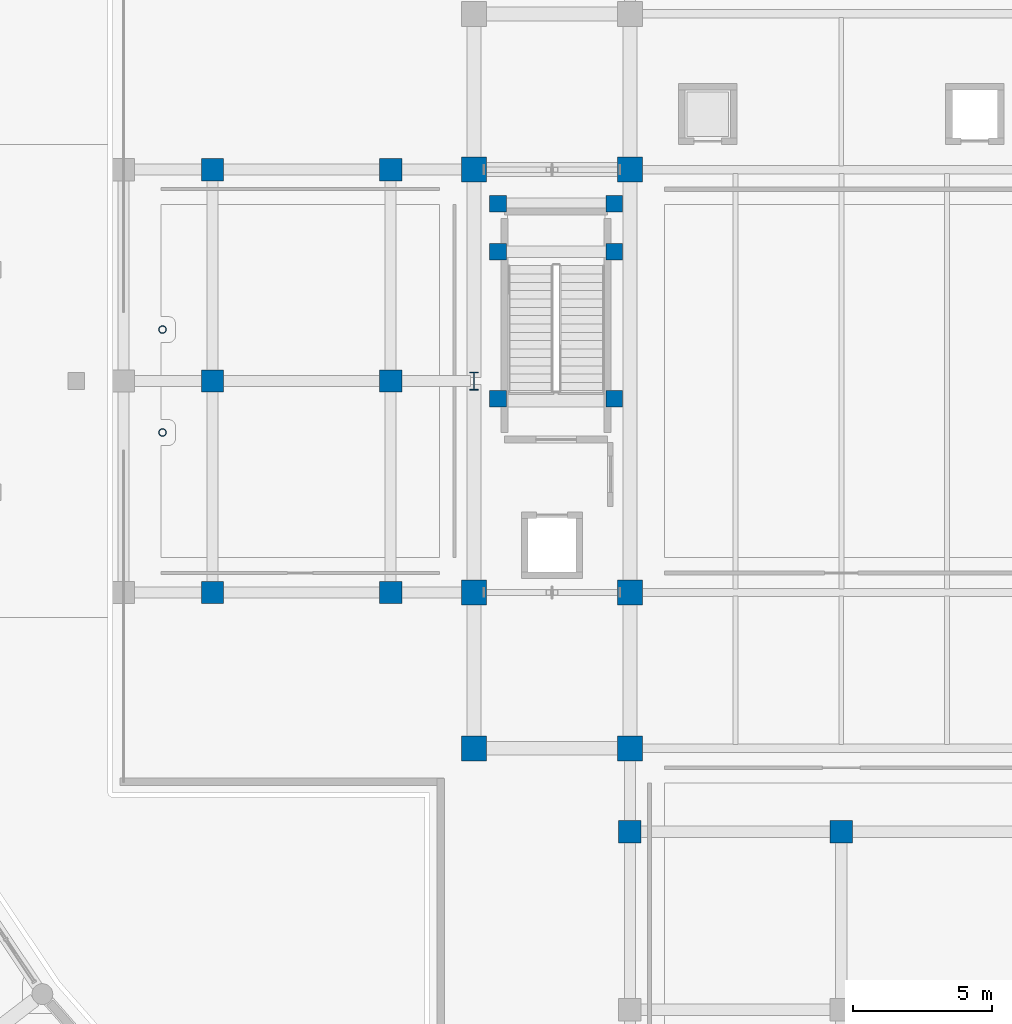
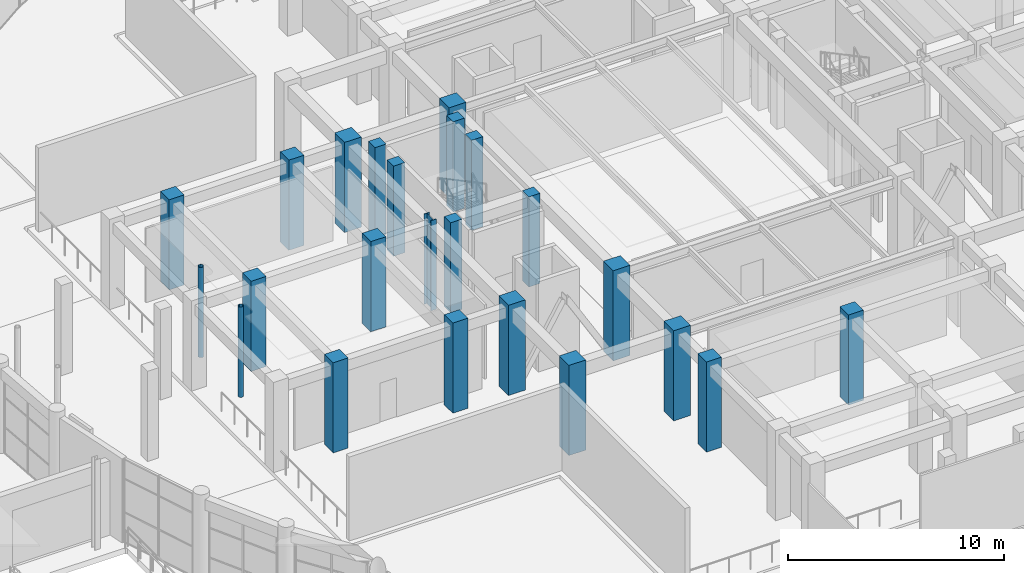
# One storey, part 9 of 99: 23 columns.
"""IFC4 building model written with IfcOpenShell, lengths in metres."""

from ifc_helpers import new_model, si_unit, direction, frame, origin, origin_2d, place, context, subcontext, project, spatial, rectangle, hollow_circle, i_section, extrude, material, material_profile, profile_set, type_object, element, save


model = new_model("IFC4")

# Units and contexts
model_context = context("Model", 3, precision=1e-05, world=origin(), true_north=direction((0.0, 1.0)))
body_context = subcontext(model_context, "Body", "Model", "MODEL_VIEW")
ifc_project = project(units=[si_unit("LENGTHUNIT", "METRE"), si_unit("AREAUNIT", "SQUARE_METRE"), si_unit("VOLUMEUNIT", "CUBIC_METRE"), si_unit("PLANEANGLEUNIT", "RADIAN"), si_unit("MASSUNIT", "GRAM", prefix="KILO")], contexts=[model_context])

# Site, building, storey
site_placement = place(None, origin())
site = spatial("IfcSite", under=ifc_project, at=site_placement, CompositionType="ELEMENT")
building_placement = place(site_placement, origin())
building = spatial("IfcBuilding", under=site, at=building_placement, Name="Saryqyr Civic Hall", CompositionType="ELEMENT")
storey_placement = place(building_placement, origin())
storey = spatial("IfcBuildingStorey", under=building, at=storey_placement, Name="L00", CompositionType="ELEMENT", Elevation=0.0)

# Columns
ifc_material_1 = material(Name="Steel S355", Category="steel")
ifc_material_profile_1 = material_profile(ifc_material_1, hollow_circle(Radius=0.136474609375, WallThickness=0.01611328125, at=origin_2d()), Name="CHS 273x16")
ifc_profile_set_1 = profile_set([ifc_material_profile_1], Name="Steel S355")
column_type_1 = type_object("IfcColumnType", Name="STR-COL-CHS273-S355", PredefinedType="COLUMN", material=ifc_profile_set_1)
for number, where, z_axis, x_axis, name in (
    (1, (32.60009765625, 82.14990234375, 0.0), (0.0, 0.0, 1.0), (1.0, 0.0, 0.0), "Column BRCOL-BR-CW-2-L00"),
    (2, (32.60009765625, 85.85009765625, 0.0), (0.0, 0.0, 1.0), (1.0, 0.0, 0.0), "Column BRCOL-BR-CW-3-L00"),
):
    element("IfcColumn", number, at=place(storey_placement, frame(where, z_axis=z_axis, x_axis=x_axis)), inside=storey, type_object=column_type_1, Name=name, PredefinedType="COLUMN", context=body_context, shape_type="SweptSolid", body=[
        extrude(hollow_circle(Radius=0.136474609375, WallThickness=0.01611328125, at=origin_2d()), origin(), (0.0, 0.0, 1.0), 5.10009765625),
    ])
ifc_material_profile_2 = material_profile(ifc_material_1, i_section(OverallWidth=0.300048828125, OverallDepth=0.64990234375, WebThickness=0.01611328125, FlangeThickness=0.031005859375, at=origin_2d()), Name="HEB 650")
ifc_profile_set_2 = profile_set([ifc_material_profile_2], Name="Steel S355")
column_type_2 = type_object("IfcColumnType", Name="STR-COL-HEB650-S355", PredefinedType="COLUMN", material=ifc_profile_set_2)
column_placement = place(storey_placement, frame((43.800048828125, 84.0, 0.0), z_axis=(0.0, 0.0, 1.0), x_axis=(1.0, 0.0, 0.0)))
element("IfcColumn", 3, at=column_placement, inside=storey, type_object=column_type_2, Name="Column V1-GCOL-W-L00", PredefinedType="COLUMN", context=body_context, shape_type="SweptSolid", body=[
    extrude(i_section(OverallWidth=0.300048828125, OverallDepth=0.64990234375, WebThickness=0.01611328125, FlangeThickness=0.031005859375, at=origin_2d()), origin(), (0.0, 0.0, 1.0), 5.10009765625),
])
ifc_material_2 = material(Name="Concrete C40/50", Category="concrete")
ifc_material_profile_3 = material_profile(ifc_material_2, rectangle(XDim=0.60009765625, YDim=0.60009765625, at=origin_2d()), Name="RC 600x600")
ifc_profile_set_3 = profile_set([ifc_material_profile_3], Name="Concrete C40/50")
column_type_3 = type_object("IfcColumnType", Name="STR-COL-RC600-C40", PredefinedType="COLUMN", material=ifc_profile_set_3)
for number, where, z_axis, x_axis, name in (
    (4, (48.840087890625, 83.364990234375, 0.0), (0.0, 0.0, 1.0), (1.0, 0.0, 0.0), "Column ST-1-SCOL-TRMA-L00"),
    (5, (44.659912109375, 83.364990234375, 0.0), (0.0, 0.0, 1.0), (1.0, 0.0, 0.0), "Column ST-1-SCOL-TRMB-L00"),
    (6, (48.840087890625, 88.64990234375, 0.0), (0.0, 0.0, 1.0), (1.0, 0.0, 0.0), "Column ST-1-SCOL-LND1A-L00"),
    (7, (44.659912109375, 88.64990234375, 0.0), (0.0, 0.0, 1.0), (1.0, 0.0, 0.0), "Column ST-1-SCOL-LND1B-L00"),
    (8, (48.840087890625, 90.3798828125, 0.0), (0.0, 0.0, 1.0), (1.0, 0.0, 0.0), "Column ST-1-SCOL-LND2A-L00"),
    (9, (44.659912109375, 90.3798828125, 0.0), (0.0, 0.0, 1.0), (1.0, 0.0, 0.0), "Column ST-1-SCOL-LND2B-L00"),
):
    element("IfcColumn", number, at=place(storey_placement, frame(where, z_axis=z_axis, x_axis=x_axis)), inside=storey, type_object=column_type_3, Name=name, PredefinedType="COLUMN", context=body_context, shape_type="SweptSolid", body=[
        extrude(rectangle(XDim=0.60009765625, YDim=0.60009765625, at=origin_2d()), origin(), (0.0, 0.0, 1.0), 5.10009765625),
    ])
ifc_material_profile_4 = material_profile(ifc_material_2, rectangle(XDim=0.800048828125, YDim=0.800048828125, at=origin_2d()), Name="RC 800x800")
ifc_profile_set_4 = profile_set([ifc_material_profile_4], Name="Concrete C40/50")
column_type_4 = type_object("IfcColumnType", Name="STR-COL-RC800-C40", PredefinedType="COLUMN", material=ifc_profile_set_4)
for number, where, z_axis, x_axis, name in (
    (10, (40.800048828125, 76.39990234375, 0.0), (0.0, 0.0, 1.0), (1.0, 0.0, 0.0), "Column V1-COL-S3P01-L00"),
    (11, (40.800048828125, 84.0, 0.0), (0.0, 0.0, 1.0), (1.0, 0.0, 0.0), "Column V1-COL-S3P02-L00"),
    (12, (40.800048828125, 91.60009765625, 0.0), (0.0, 0.0, 1.0), (1.0, 0.0, 0.0), "Column V1-COL-S3P03-L00"),
    (13, (49.39990234375, 67.800048828125, 0.0), (0.0, 0.0, 1.0), (1.0, 0.0, 0.0), "Column V1-COL-S3P07-L00"),
    (14, (57.0, 67.800048828125, 0.0), (0.0, 0.0, 1.0), (1.0, 0.0, 0.0), "Column V1-COL-S3P08-L00"),
    (15, (34.39990234375, 76.39990234375, 0.0), (0.0, 0.0, 1.0), (1.0, 0.0, 0.0), "Column V1-COL-S1P01-L00"),
    (16, (34.39990234375, 84.0, 0.0), (0.0, 0.0, 1.0), (1.0, 0.0, 0.0), "Column V1-COL-S1P02-L00"),
    (17, (34.39990234375, 91.60009765625, 0.0), (0.0, 0.0, 1.0), (1.0, 0.0, 0.0), "Column V1-COL-S1P03-L00"),
):
    element("IfcColumn", number, at=place(storey_placement, frame(where, z_axis=z_axis, x_axis=x_axis)), inside=storey, type_object=column_type_4, Name=name, PredefinedType="COLUMN", context=body_context, shape_type="SweptSolid", body=[
        extrude(rectangle(XDim=0.800048828125, YDim=0.800048828125, at=origin_2d()), origin(), (0.0, 0.0, 1.0), 5.10009765625),
    ])
ifc_material_profile_5 = material_profile(ifc_material_2, rectangle(XDim=0.89990234375, YDim=0.89990234375, at=origin_2d()), Name="RC 900x900")
ifc_profile_set_5 = profile_set([ifc_material_profile_5], Name="Concrete C40/50")
column_type_5 = type_object("IfcColumnType", Name="STR-COL-RC900-C40", PredefinedType="COLUMN", material=ifc_profile_set_5)
for number, where, z_axis, x_axis, name in (
    (18, (43.800048828125, 70.800048828125, 0.0), (0.0, 0.0, 1.0), (1.0, 0.0, 0.0), "Column V1-COL-C11-L00"),
    (19, (43.800048828125, 76.39990234375, 0.0), (0.0, 0.0, 1.0), (1.0, 0.0, 0.0), "Column V1-COL-C12-L00"),
    (20, (43.800048828125, 91.60009765625, 0.0), (0.0, 0.0, 1.0), (1.0, 0.0, 0.0), "Column V1-COL-C13-L00"),
    (21, (49.39990234375, 70.800048828125, 0.0), (0.0, 0.0, 1.0), (1.0, 0.0, 0.0), "Column V1-COL-C21-L00"),
    (22, (49.39990234375, 76.39990234375, 0.0), (0.0, 0.0, 1.0), (1.0, 0.0, 0.0), "Column V1-COL-C22-L00"),
    (23, (49.39990234375, 91.60009765625, 0.0), (0.0, 0.0, 1.0), (1.0, 0.0, 0.0), "Column V1-COL-C23-L00"),
):
    element("IfcColumn", number, at=place(storey_placement, frame(where, z_axis=z_axis, x_axis=x_axis)), inside=storey, type_object=column_type_5, Name=name, PredefinedType="COLUMN", context=body_context, shape_type="SweptSolid", body=[
        extrude(rectangle(XDim=0.89990234375, YDim=0.89990234375, at=origin_2d()), origin(), (0.0, 0.0, 1.0), 5.10009765625),
    ])

save(model, "model.ifc")
